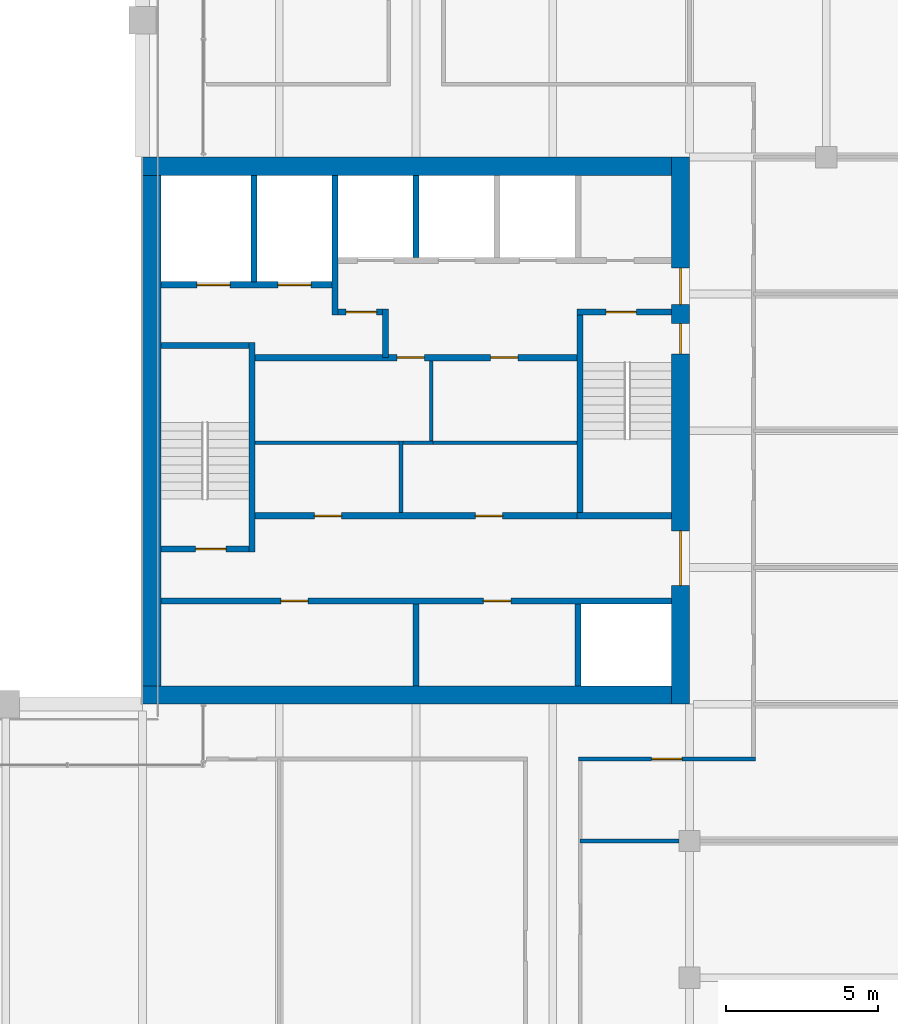
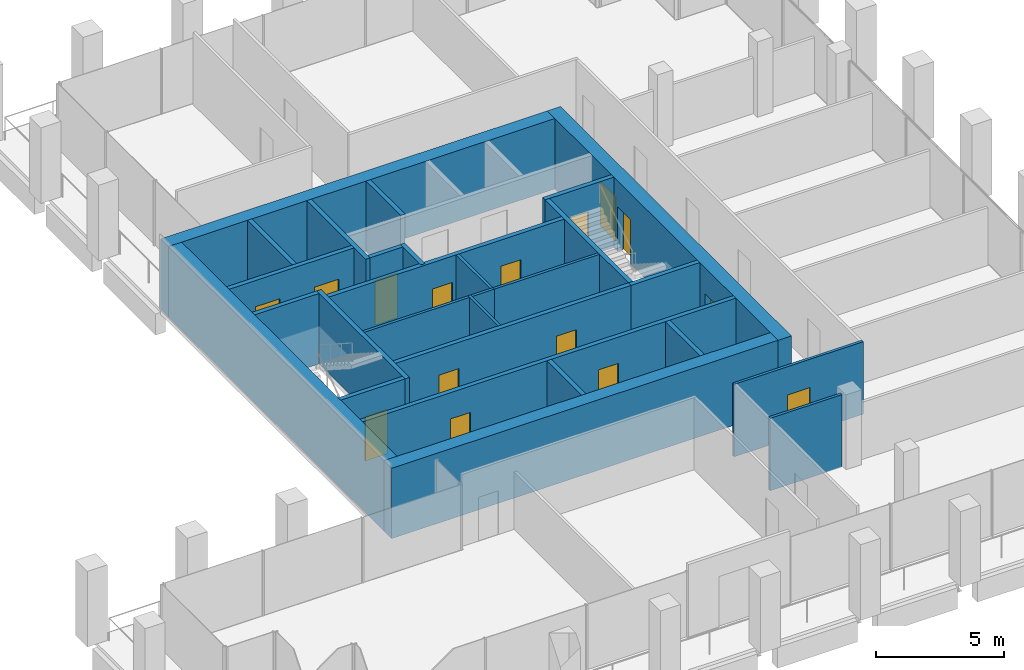
# One storey, part 36 of 40: 28 walls, 15 doors, 15 openings.
"""IFC4 building model written with IfcOpenShell, lengths in metres."""

from ifc_helpers import new_model, si_unit, direction, frame, frame_2d, origin, place, context, subcontext, project, spatial, rectangle, extrude, material, layer, layer_set, type_object, element, fill, save


model = new_model("IFC4")

# Units and contexts
model_context = context("Model", 3, precision=1e-05, world=origin(), true_north=direction((0.0, 1.0)))
body_context = subcontext(model_context, "Body", "Model", "MODEL_VIEW")
ifc_project = project(units=[si_unit("LENGTHUNIT", "METRE"), si_unit("AREAUNIT", "SQUARE_METRE"), si_unit("VOLUMEUNIT", "CUBIC_METRE"), si_unit("PLANEANGLEUNIT", "RADIAN"), si_unit("MASSUNIT", "GRAM", prefix="KILO")], contexts=[model_context])

# Site, building, storey
site_placement = place(None, origin())
site = spatial("IfcSite", under=ifc_project, at=site_placement, CompositionType="ELEMENT")
building_placement = place(site_placement, origin())
building = spatial("IfcBuilding", under=site, at=building_placement, Name="Altepetl Exchange Towers", CompositionType="ELEMENT")
storey_placement = place(building_placement, frame((0.0, 0.0, 151.0)))
storey = spatial("IfcBuildingStorey", under=building, at=storey_placement, Name="L37", CompositionType="ELEMENT", Elevation=151.0)

# Wall, openings, doors
ifc_material_1 = material(Name="Concrete C70/85", Category="concrete")
ifc_layer_1 = layer(ifc_material_1, 0.60009765625)
ifc_layer_set_1 = layer_set([ifc_layer_1], Name="Concrete C70/85")
wall_type_1 = type_object("IfcWallType", Name="Core wall 600 reinforced concrete", PredefinedType="SHEAR", material=ifc_layer_set_1)
wall_1_placement = place(storey_placement, frame((58.199951171875, 40.5, 0.0), z_axis=(0.0, 0.0, 1.0), x_axis=(0.0, 1.0, 0.0)))
wall_1 = element("IfcWall", 1, at=wall_1_placement, inside=storey, type_object=wall_type_1, Name="wall:A:L37:K-coreE", PredefinedType="SHEAR", context=body_context, shape_type="SweptSolid", body=[
    extrude(rectangle(XDim=18.0, YDim=0.60009765625, at=frame_2d((9.0, 0.0))), origin(), (0.0, 0.0, 1.0), 3.35009765625),
])
opening_1_placement = place(wall_1_placement, frame((13.14990234375, 0.0, 0.0)))
opening_1 = element("IfcOpeningElement", 2, at=opening_1_placement, cuts=wall_1, Name="Opening L37.A60", PredefinedType="OPENING", context=body_context, shape_type="SweptSolid", body=[
    extrude(rectangle(XDim=1.199951171875, YDim=2.10009765625, at=frame_2d((0.60009765625, 1.050048828125))), frame((0.0, 0.31005859375, 0.0), z_axis=(0.0, -1.0, 0.0), x_axis=(1.0, 0.0, 0.0)), (0.0, 0.0, 1.0), 0.6201171875),
])
opening_2_placement = place(wall_1_placement, frame((3.89990234375, 0.0, 0.0)))
opening_2 = element("IfcOpeningElement", 3, at=opening_2_placement, cuts=wall_1, Name="Opening L37.A61", PredefinedType="OPENING", context=body_context, shape_type="SweptSolid", body=[
    extrude(rectangle(XDim=1.800048828125, YDim=2.10009765625, at=frame_2d((0.89990234375, 1.050048828125))), frame((0.0, 0.31005859375, 0.0), z_axis=(0.0, -1.0, 0.0), x_axis=(1.0, 0.0, 0.0)), (0.0, 0.0, 1.0), 0.6201171875),
])
opening_3_placement = place(wall_1_placement, frame((11.52490234375, 0.0, 0.0)))
opening_3 = element("IfcOpeningElement", 4, at=opening_3_placement, cuts=wall_1, Name="Opening L37.A64", PredefinedType="OPENING", context=body_context, shape_type="SweptSolid", body=[
    extrude(rectangle(XDim=1.0, YDim=2.10009765625, at=frame_2d((0.5, 1.050048828125))), frame((0.0, 0.31005859375, 0.0), z_axis=(0.0, -1.0, 0.0), x_axis=(1.0, 0.0, 0.0)), (0.0, 0.0, 1.0), 0.6201171875),
])
ifc_material_2 = material(Name="Steel and timber fire door", Category="steel")
door_type_1 = type_object("IfcDoorType", Name="Fire door 1000 x 2100 stair and lobby", OperationType="SINGLE_SWING_LEFT", PredefinedType="DOOR", material=ifc_material_2)
door_1_placement = place(opening_3_placement, origin())
door_1 = element("IfcDoor", 5, at=door_1_placement, inside=storey, type_object=door_type_1, Name="door:A:L37:K-dS2x", OperationType="SINGLE_SWING_RIGHT", OverallHeight=2.10009765625, OverallWidth=1.0, PredefinedType="DOOR", context=body_context, shape_type="SweptSolid", body=[
    extrude(rectangle(XDim=1.0, YDim=2.10009765625, at=frame_2d((0.5, 1.050048828125))), frame((0.0, 0.02490234375, 0.0), z_axis=(0.0, -1.0, 0.0), x_axis=(1.0, 0.0, 0.0)), (0.0, 0.0, 1.0), 0.050048828125),
])
fill(opening_3, door_1)
door_type_2 = type_object("IfcDoorType", Name="Fire door 1200 x 2100 lobby entry", OperationType="SINGLE_SWING_LEFT", PredefinedType="DOOR", material=ifc_material_2)
door_2_placement = place(opening_1_placement, origin())
door_2 = element("IfcDoor", 6, at=door_2_placement, inside=storey, type_object=door_type_2, Name="door:A:L37:K-dLNE", OperationType="SINGLE_SWING_RIGHT", OverallHeight=2.10009765625, OverallWidth=1.199951171875, PredefinedType="DOOR", context=body_context, shape_type="SweptSolid", body=[
    extrude(rectangle(XDim=1.199951171875, YDim=2.10009765625, at=frame_2d((0.60009765625, 1.050048828125))), frame((0.0, 0.02490234375, 0.0), z_axis=(0.0, -1.0, 0.0), x_axis=(1.0, 0.0, 0.0)), (0.0, 0.0, 1.0), 0.050048828125),
])
fill(opening_1, door_2)
door_type_3 = type_object("IfcDoorType", Name="Fire door 1800 x 2100 lobby entry", OperationType="DOUBLE_DOOR_SINGLE_SWING", PredefinedType="DOOR", material=ifc_material_2)
door_3_placement = place(opening_2_placement, origin())
door_3 = element("IfcDoor", 7, at=door_3_placement, inside=storey, type_object=door_type_3, Name="door:A:L37:K-dLSE", OperationType="DOUBLE_DOOR_SINGLE_SWING", OverallHeight=2.10009765625, OverallWidth=1.800048828125, PredefinedType="DOOR", context=body_context, shape_type="SweptSolid", body=[
    extrude(rectangle(XDim=1.800048828125, YDim=2.10009765625, at=frame_2d((0.89990234375, 1.050048828125))), frame((0.0, 0.02490234375, 0.0), z_axis=(0.0, -1.0, 0.0), x_axis=(1.0, 0.0, 0.0)), (0.0, 0.0, 1.0), 0.050048828125),
])
fill(opening_2, door_3)

# Walls
for number, where, name in (
    (8, (40.5, 58.199951171875, 0.0), "wall:A:L37:K-coreN"),
    (9, (40.5, 40.800048828125, 0.0), "wall:A:L37:K-coreS"),
):
    element("IfcWall", number, at=place(storey_placement, frame(where)), inside=storey, type_object=wall_type_1, Name=name, PredefinedType="SHEAR", context=body_context, shape_type="SweptSolid", body=[
        extrude(rectangle(XDim=17.39990234375, YDim=0.60009765625, at=frame_2d((8.699951171875, 0.0))), origin(), (0.0, 0.0, 1.0), 3.35009765625),
    ])
ifc_layer_2 = layer(ifc_material_1, 0.60009765625)
ifc_layer_set_2 = layer_set([ifc_layer_2], Name="Concrete C70/85")
wall_type_2 = type_object("IfcWallType", Name="Core wall 600 reinforced concrete external", PredefinedType="SHEAR", material=ifc_layer_set_2)
wall_2_placement = place(storey_placement, frame((40.800048828125, 41.10009765625, 0.0), z_axis=(0.0, 0.0, 1.0), x_axis=(0.0, 1.0, 0.0)))
element("IfcWall", 10, at=wall_2_placement, inside=storey, type_object=wall_type_2, Name="wall:A:L37:K-coreW", PredefinedType="SHEAR", context=body_context, shape_type="SweptSolid", body=[
    extrude(rectangle(XDim=16.7998046875, YDim=0.60009765625, at=frame_2d((8.39990234375, 0.0))), origin(), (0.0, 0.0, 1.0), 3.35009765625),
])
ifc_material_3 = material(Name="Concrete blockwork", Category="masonry")
ifc_layer_3 = layer(ifc_material_3, 0.199951171875)
ifc_layer_set_3 = layer_set([ifc_layer_3], Name="Concrete blockwork")
wall_type_3 = type_object("IfcWallType", Name="Lobby wall 200 blockwork", PredefinedType="PARTITIONING", material=ifc_layer_set_3)
wall_3_placement = place(storey_placement, frame((48.5, 51.89990234375, 0.0), z_axis=(0.0, 0.0, 1.0), x_axis=(0.0, 1.0, 0.0)))
element("IfcWall", 11, at=wall_3_placement, inside=storey, type_object=wall_type_3, Name="wall:A:L37:K-ffE", PredefinedType="PARTITIONING", context=body_context, shape_type="SweptSolid", body=[
    extrude(rectangle(XDim=1.60009765625, YDim=0.199951171875, at=frame_2d((0.800048828125, 0.0))), origin(), (0.0, 0.0, 1.0), 3.35009765625),
])

# Wall, opening, door
wall_4_placement = place(storey_placement, frame((46.933349609375, 53.39990234375, 0.0)))
wall_4 = element("IfcWall", 12, at=wall_4_placement, inside=storey, type_object=wall_type_3, Name="wall:A:L37:K-ffN", PredefinedType="PARTITIONING", context=body_context, shape_type="SweptSolid", body=[
    extrude(rectangle(XDim=1.466552734375, YDim=0.199951171875, at=frame_2d((0.7333984375, 0.0))), origin(), (0.0, 0.0, 1.0), 3.35009765625),
])
opening_4_placement = place(wall_4_placement, frame((0.2666015625, 0.0, 0.0)))
opening_4 = element("IfcOpeningElement", 13, at=opening_4_placement, cuts=wall_4, Name="Opening L37.A65", PredefinedType="OPENING", context=body_context, shape_type="SweptSolid", body=[
    extrude(rectangle(XDim=1.0, YDim=2.10009765625, at=frame_2d((0.5, 1.050048828125))), frame((0.0, 0.10986328125, 0.0), z_axis=(0.0, -1.0, 0.0), x_axis=(1.0, 0.0, 0.0)), (0.0, 0.0, 1.0), 0.219970703125),
])
door_4_placement = place(opening_4_placement, frame((1.0, 0.0, 0.0), x_axis=(-1.0, 0.0, 0.0)))
door_4 = element("IfcDoor", 14, at=door_4_placement, inside=storey, type_object=door_type_1, Name="door:A:L37:K-dffN", OperationType="SINGLE_SWING_RIGHT", OverallHeight=2.10009765625, OverallWidth=1.0, PredefinedType="DOOR", context=body_context, shape_type="SweptSolid", body=[
    extrude(rectangle(XDim=1.0, YDim=2.10009765625, at=frame_2d((0.5, 1.050048828125))), frame((0.0, 0.02490234375, 0.0), z_axis=(0.0, -1.0, 0.0), x_axis=(1.0, 0.0, 0.0)), (0.0, 0.0, 1.0), 0.050048828125),
])
fill(opening_4, door_4)

# Wall, openings, doors
wall_5_placement = place(storey_placement, frame((44.199951171875, 51.89990234375, 0.0)))
wall_5 = element("IfcWall", 15, at=wall_5_placement, inside=storey, type_object=wall_type_3, Name="wall:A:L37:K-zoneN", PredefinedType="PARTITIONING", context=body_context, shape_type="SweptSolid", body=[
    extrude(rectangle(XDim=10.60009765625, YDim=0.199951171875, at=frame_2d((5.300048828125, 0.0))), origin(), (0.0, 0.0, 1.0), 3.35009765625),
])
opening_5_placement = place(wall_5_placement, frame((4.675048828125, 0.0, 0.0)))
opening_5 = element("IfcOpeningElement", 16, at=opening_5_placement, cuts=wall_5, Name="Opening L37.A71", PredefinedType="OPENING", context=body_context, shape_type="SweptSolid", body=[
    extrude(rectangle(XDim=0.89990234375, YDim=2.10009765625, at=frame_2d((0.449951171875, 1.050048828125))), frame((0.0, 0.10986328125, 0.0), z_axis=(0.0, -1.0, 0.0), x_axis=(1.0, 0.0, 0.0)), (0.0, 0.0, 1.0), 0.219970703125),
])
opening_6_placement = place(wall_5_placement, frame((7.75, 0.0, 0.0)))
opening_6 = element("IfcOpeningElement", 17, at=opening_6_placement, cuts=wall_5, Name="Opening L37.A72", PredefinedType="OPENING", context=body_context, shape_type="SweptSolid", body=[
    extrude(rectangle(XDim=0.89990234375, YDim=2.10009765625, at=frame_2d((0.449951171875, 1.050048828125))), frame((0.0, 0.10986328125, 0.0), z_axis=(0.0, -1.0, 0.0), x_axis=(1.0, 0.0, 0.0)), (0.0, 0.0, 1.0), 0.219970703125),
])
door_type_4 = type_object("IfcDoorType", Name="Fire door 900 x 2100 service room", OperationType="SINGLE_SWING_LEFT", PredefinedType="DOOR", material=ifc_material_2)
door_5_placement = place(opening_5_placement, frame((0.89990234375, 0.0, 0.0), x_axis=(-1.0, 0.0, 0.0)))
door_5 = element("IfcDoor", 18, at=door_5_placement, inside=storey, type_object=door_type_4, Name="door:A:L37:K-dz3", OperationType="SINGLE_SWING_LEFT", OverallHeight=2.10009765625, OverallWidth=0.89990234375, PredefinedType="DOOR", context=body_context, shape_type="SweptSolid", body=[
    extrude(rectangle(XDim=0.89990234375, YDim=2.10009765625, at=frame_2d((0.449951171875, 1.050048828125))), frame((0.0, 0.02490234375, 0.0), z_axis=(0.0, -1.0, 0.0), x_axis=(1.0, 0.0, 0.0)), (0.0, 0.0, 1.0), 0.050048828125),
])
fill(opening_5, door_5)
door_6_placement = place(opening_6_placement, frame((0.89990234375, 0.0, 0.0), x_axis=(-1.0, 0.0, 0.0)))
door_6 = element("IfcDoor", 19, at=door_6_placement, inside=storey, type_object=door_type_4, Name="door:A:L37:K-dz4", OperationType="SINGLE_SWING_LEFT", OverallHeight=2.10009765625, OverallWidth=0.89990234375, PredefinedType="DOOR", context=body_context, shape_type="SweptSolid", body=[
    extrude(rectangle(XDim=0.89990234375, YDim=2.10009765625, at=frame_2d((0.449951171875, 1.050048828125))), frame((0.0, 0.02490234375, 0.0), z_axis=(0.0, -1.0, 0.0), x_axis=(1.0, 0.0, 0.0)), (0.0, 0.0, 1.0), 0.050048828125),
])
fill(opening_6, door_6)

wall_6_placement = place(storey_placement, frame((44.199951171875, 46.699951171875, 0.0)))
wall_6 = element("IfcWall", 20, at=wall_6_placement, inside=storey, type_object=wall_type_3, Name="wall:A:L37:K-zoneS", PredefinedType="PARTITIONING", context=body_context, shape_type="SweptSolid", body=[
    extrude(rectangle(XDim=10.60009765625, YDim=0.199951171875, at=frame_2d((5.300048828125, 0.0))), origin(), (0.0, 0.0, 1.0), 3.35009765625),
])
opening_7_placement = place(wall_6_placement, frame((1.949951171875, 0.0, 0.0)))
opening_7 = element("IfcOpeningElement", 21, at=opening_7_placement, cuts=wall_6, Name="Opening L37.A69", PredefinedType="OPENING", context=body_context, shape_type="SweptSolid", body=[
    extrude(rectangle(XDim=0.89990234375, YDim=2.10009765625, at=frame_2d((0.449951171875, 1.050048828125))), frame((0.0, 0.10986328125, 0.0), z_axis=(0.0, -1.0, 0.0), x_axis=(1.0, 0.0, 0.0)), (0.0, 0.0, 1.0), 0.219970703125),
])
opening_8_placement = place(wall_6_placement, frame((7.25, 0.0, 0.0)))
opening_8 = element("IfcOpeningElement", 22, at=opening_8_placement, cuts=wall_6, Name="Opening L37.A70", PredefinedType="OPENING", context=body_context, shape_type="SweptSolid", body=[
    extrude(rectangle(XDim=0.89990234375, YDim=2.10009765625, at=frame_2d((0.449951171875, 1.050048828125))), frame((0.0, 0.10986328125, 0.0), z_axis=(0.0, -1.0, 0.0), x_axis=(1.0, 0.0, 0.0)), (0.0, 0.0, 1.0), 0.219970703125),
])
door_7_placement = place(opening_7_placement, origin())
door_7 = element("IfcDoor", 23, at=door_7_placement, inside=storey, type_object=door_type_4, Name="door:A:L37:K-dz1", OperationType="SINGLE_SWING_LEFT", OverallHeight=2.10009765625, OverallWidth=0.89990234375, PredefinedType="DOOR", context=body_context, shape_type="SweptSolid", body=[
    extrude(rectangle(XDim=0.89990234375, YDim=2.10009765625, at=frame_2d((0.449951171875, 1.050048828125))), frame((0.0, 0.02490234375, 0.0), z_axis=(0.0, -1.0, 0.0), x_axis=(1.0, 0.0, 0.0)), (0.0, 0.0, 1.0), 0.050048828125),
])
fill(opening_7, door_7)
door_8_placement = place(opening_8_placement, origin())
door_8 = element("IfcDoor", 24, at=door_8_placement, inside=storey, type_object=door_type_4, Name="door:A:L37:K-dz2", OperationType="SINGLE_SWING_LEFT", OverallHeight=2.10009765625, OverallWidth=0.89990234375, PredefinedType="DOOR", context=body_context, shape_type="SweptSolid", body=[
    extrude(rectangle(XDim=0.89990234375, YDim=2.10009765625, at=frame_2d((0.449951171875, 1.050048828125))), frame((0.0, 0.02490234375, 0.0), z_axis=(0.0, -1.0, 0.0), x_axis=(1.0, 0.0, 0.0)), (0.0, 0.0, 1.0), 0.050048828125),
])
fill(opening_8, door_8)

# Walls
ifc_material_4 = material(Name="Gypsum board on steel studs", Category="steel")
ifc_layer_4 = layer(ifc_material_4, 0.125)
ifc_layer_set_4 = layer_set([ifc_layer_4], Name="Gypsum board on steel studs")
wall_type_4 = type_object("IfcWallType", Name="Partition 125 gypsum board on steel studs", PredefinedType="PARTITIONING", material=ifc_layer_set_4)
wall_7_placement = place(storey_placement, frame((49.0, 46.800048828125, 0.0), z_axis=(0.0, 0.0, 1.0), x_axis=(0.0, 1.0, 0.0)))
element("IfcWall", 25, at=wall_7_placement, inside=storey, type_object=wall_type_4, Name="wall:A:L37:K-zp1", PredefinedType="PARTITIONING", context=body_context, shape_type="SweptSolid", body=[
    extrude(rectangle(XDim=2.362548828125, YDim=0.125, at=frame_2d((1.18115234375, 0.0))), origin(), (0.0, 0.0, 1.0), 3.35009765625),
])
wall_8_placement = place(storey_placement, frame((49.0, 49.10009765625, 0.0), z_axis=(0.0, 0.0, 1.0), x_axis=(-1.0, 0.0, 0.0)))
element("IfcWall", 26, at=wall_8_placement, inside=storey, type_object=wall_type_4, Name="wall:A:L37:K-zp2", PredefinedType="PARTITIONING", context=body_context, shape_type="SweptSolid", body=[
    extrude(rectangle(XDim=4.800048828125, YDim=0.125, at=frame_2d((2.39990234375, 0.0))), origin(), (0.0, 0.0, 1.0), 3.35009765625),
])
wall_9_placement = place(storey_placement, frame((50.0625, 49.10009765625, 0.0), z_axis=(0.0, 0.0, 1.0), x_axis=(-1.0, 0.0, 0.0)))
element("IfcWall", 27, at=wall_9_placement, inside=storey, type_object=wall_type_4, Name="wall:A:L37:K-zp3", PredefinedType="PARTITIONING", context=body_context, shape_type="SweptSolid", body=[
    extrude(rectangle(XDim=1.0, YDim=0.125, at=frame_2d((0.5, 0.0))), origin(), (0.0, 0.0, 1.0), 3.35009765625),
])
wall_10_placement = place(storey_placement, frame((54.800048828125, 49.10009765625, 0.0), z_axis=(0.0, 0.0, 1.0), x_axis=(-1.0, 0.0, 0.0)))
element("IfcWall", 28, at=wall_10_placement, inside=storey, type_object=wall_type_4, Name="wall:A:L37:K-zp4", PredefinedType="PARTITIONING", context=body_context, shape_type="SweptSolid", body=[
    extrude(rectangle(XDim=4.800048828125, YDim=0.125, at=frame_2d((2.39990234375, 0.0))), origin(), (0.0, 0.0, 1.0), 3.35009765625),
])
wall_11_placement = place(storey_placement, frame((50.0, 49.16259765625, 0.0), z_axis=(0.0, 0.0, 1.0), x_axis=(0.0, 1.0, 0.0)))
element("IfcWall", 29, at=wall_11_placement, inside=storey, type_object=wall_type_4, Name="wall:A:L37:K-zp5", PredefinedType="PARTITIONING", context=body_context, shape_type="SweptSolid", body=[
    extrude(rectangle(XDim=2.637451171875, YDim=0.125, at=frame_2d((1.31884765625, 0.0))), origin(), (0.0, 0.0, 1.0), 3.35009765625),
])
wall_12_placement = place(storey_placement, frame((54.89990234375, 36.0, 0.0)))
element("IfcWall", 30, at=wall_12_placement, inside=storey, type_object=wall_type_4, Name="wall:A:L37:P01", PredefinedType="PARTITIONING", context=body_context, shape_type="SweptSolid", body=[
    extrude(rectangle(XDim=3.25, YDim=0.125, at=frame_2d((1.625, 0.0))), origin(), (0.0, 0.0, 1.0), 3.449951171875),
])

# Wall, opening, door
wall_13_placement = place(storey_placement, frame((54.83740234375, 38.699951171875, 0.0)))
wall_13 = element("IfcWall", 31, at=wall_13_placement, inside=storey, type_object=wall_type_4, Name="wall:A:L37:P04", PredefinedType="PARTITIONING", context=body_context, shape_type="SweptSolid", body=[
    extrude(rectangle(XDim=5.8251953125, YDim=0.125, at=frame_2d((2.91259765625, 0.0))), origin(), (0.0, 0.0, 1.0), 3.449951171875),
])
opening_9_placement = place(wall_13_placement, frame((2.41259765625, 0.0, 0.0)))
opening_9 = element("IfcOpeningElement", 32, at=opening_9_placement, cuts=wall_13, Name="Opening L37.A04", PredefinedType="OPENING", context=body_context, shape_type="SweptSolid", body=[
    extrude(rectangle(XDim=1.0, YDim=2.10009765625, at=frame_2d((0.5, 1.050048828125))), frame((0.0, 0.072509765625, 0.0), z_axis=(0.0, -1.0, 0.0), x_axis=(1.0, 0.0, 0.0)), (0.0, 0.0, 1.0), 0.14501953125),
])
door_type_5 = type_object("IfcDoorType", Name="Fire door 1000 x 2100 single leaf", OperationType="SINGLE_SWING_LEFT", PredefinedType="DOOR", material=ifc_material_2)
door_9_placement = place(opening_9_placement, frame((1.0, 0.0, 0.0), x_axis=(-1.0, 0.0, 0.0)))
door_9 = element("IfcDoor", 33, at=door_9_placement, inside=storey, type_object=door_type_5, Name="door:A:L37:04", OperationType="SINGLE_SWING_RIGHT", OverallHeight=2.10009765625, OverallWidth=1.0, PredefinedType="DOOR", context=body_context, shape_type="SweptSolid", body=[
    extrude(rectangle(XDim=1.0, YDim=2.10009765625, at=frame_2d((0.5, 1.050048828125))), frame((0.0, 0.02490234375, 0.0), z_axis=(0.0, -1.0, 0.0), x_axis=(1.0, 0.0, 0.0)), (0.0, 0.0, 1.0), 0.050048828125),
])
fill(opening_9, door_9)

# Walls
ifc_material_5 = material(Name="Concrete C40/50", Category="concrete")
ifc_layer_5 = layer(ifc_material_5, 0.199951171875)
ifc_layer_set_5 = layer_set([ifc_layer_5], Name="Concrete C40/50")
wall_type_5 = type_object("IfcWallType", Name="Shaft wall 200 reinforced concrete", PredefinedType="SHEAR", material=ifc_layer_set_5)
wall_14_placement = place(storey_placement, frame((44.166748046875, 57.89990234375, 0.0), z_axis=(0.0, 0.0, 1.0), x_axis=(0.0, -1.0, 0.0)))
element("IfcWall", 34, at=wall_14_placement, inside=storey, type_object=wall_type_5, Name="wall:A:L37:K-divN1", PredefinedType="SHEAR", context=body_context, shape_type="SweptSolid", body=[
    extrude(rectangle(XDim=3.5, YDim=0.199951171875, at=frame_2d((1.75, 0.0))), origin(), (0.0, 0.0, 1.0), 3.35009765625),
])
wall_15_placement = place(storey_placement, frame((46.833251953125, 57.89990234375, 0.0), z_axis=(0.0, 0.0, 1.0), x_axis=(0.0, -1.0, 0.0)))
element("IfcWall", 35, at=wall_15_placement, inside=storey, type_object=wall_type_5, Name="wall:A:L37:K-divN2", PredefinedType="SHEAR", context=body_context, shape_type="SweptSolid", body=[
    extrude(rectangle(XDim=4.599853515625, YDim=0.199951171875, at=frame_2d((2.2998046875, 0.0))), origin(), (0.0, 0.0, 1.0), 3.35009765625),
])
for number, where, z_axis, x_axis, name in (
    (36, (49.5, 57.89990234375, 0.0), (0.0, 0.0, 1.0), (0.0, -1.0, 0.0), "wall:A:L37:K-divN3"),
    (37, (54.833251953125, 41.10009765625, 0.0), (0.0, 0.0, 1.0), (0.0, 1.0, 0.0), "wall:A:L37:K-divS5"),
):
    element("IfcWall", number, at=place(storey_placement, frame(where, z_axis=z_axis, x_axis=x_axis)), inside=storey, type_object=wall_type_5, Name=name, PredefinedType="SHEAR", context=body_context, shape_type="SweptSolid", body=[
        extrude(rectangle(XDim=2.699951171875, YDim=0.199951171875, at=frame_2d((1.35009765625, 0.0))), origin(), (0.0, 0.0, 1.0), 3.35009765625),
    ])

# Wall, openings, doors
wall_16_placement = place(storey_placement, frame((41.10009765625, 54.300048828125, 0.0)))
wall_16 = element("IfcWall", 38, at=wall_16_placement, inside=storey, type_object=wall_type_5, Name="wall:A:L37:K-frontNd", PredefinedType="SHEAR", context=body_context, shape_type="SweptSolid", body=[
    extrude(rectangle(XDim=5.63330078125, YDim=0.199951171875, at=frame_2d((2.816650390625, 0.0))), origin(), (0.0, 0.0, 1.0), 3.35009765625),
])
opening_10_placement = place(wall_16_placement, frame((1.183349609375, 0.0, 0.0)))
opening_10 = element("IfcOpeningElement", 39, at=opening_10_placement, cuts=wall_16, Name="Opening L37.A73", PredefinedType="OPENING", context=body_context, shape_type="SweptSolid", body=[
    extrude(rectangle(XDim=1.10009765625, YDim=2.10009765625, at=frame_2d((0.550048828125, 1.050048828125))), frame((0.0, 0.10986328125, 0.0), z_axis=(0.0, -1.0, 0.0), x_axis=(1.0, 0.0, 0.0)), (0.0, 0.0, 1.0), 0.219970703125),
])
opening_11_placement = place(wall_16_placement, frame((3.85009765625, 0.0, 0.0)))
opening_11 = element("IfcOpeningElement", 40, at=opening_11_placement, cuts=wall_16, Name="Opening L37.A74", PredefinedType="OPENING", context=body_context, shape_type="SweptSolid", body=[
    extrude(rectangle(XDim=1.10009765625, YDim=2.10009765625, at=frame_2d((0.550048828125, 1.050048828125))), frame((0.0, 0.10986328125, 0.0), z_axis=(0.0, -1.0, 0.0), x_axis=(1.0, 0.0, 0.0)), (0.0, 0.0, 1.0), 0.219970703125),
])
ifc_material_6 = material(Name="Stainless steel", Category="steel")
door_type_6 = type_object("IfcDoorType", Name="Lift landing door 1100 x 2100", OperationType="SLIDING_TO_LEFT", PredefinedType="DOOR", material=ifc_material_6)
door_10_placement = place(opening_10_placement, origin())
door_10 = element("IfcDoor", 41, at=door_10_placement, inside=storey, type_object=door_type_6, Name="Landing door FFL1", OperationType="SLIDING_TO_LEFT", OverallHeight=2.10009765625, OverallWidth=1.10009765625, PredefinedType="DOOR", context=body_context, shape_type="SweptSolid", body=[
    extrude(rectangle(XDim=1.10009765625, YDim=2.10009765625, at=frame_2d((0.550048828125, 1.050048828125))), frame((0.0, 0.02490234375, 0.0), z_axis=(0.0, -1.0, 0.0), x_axis=(1.0, 0.0, 0.0)), (0.0, 0.0, 1.0), 0.050048828125),
])
fill(opening_10, door_10)
door_11_placement = place(opening_11_placement, origin())
door_11 = element("IfcDoor", 42, at=door_11_placement, inside=storey, type_object=door_type_6, Name="Landing door FFL2", OperationType="SLIDING_TO_LEFT", OverallHeight=2.10009765625, OverallWidth=1.10009765625, PredefinedType="DOOR", context=body_context, shape_type="SweptSolid", body=[
    extrude(rectangle(XDim=1.10009765625, YDim=2.10009765625, at=frame_2d((0.550048828125, 1.050048828125))), frame((0.0, 0.02490234375, 0.0), z_axis=(0.0, -1.0, 0.0), x_axis=(1.0, 0.0, 0.0)), (0.0, 0.0, 1.0), 0.050048828125),
])
fill(opening_11, door_11)

wall_17_placement = place(storey_placement, frame((41.10009765625, 43.89990234375, 0.0)))
wall_17 = element("IfcWall", 43, at=wall_17_placement, inside=storey, type_object=wall_type_5, Name="wall:A:L37:K-frontS", PredefinedType="SHEAR", context=body_context, shape_type="SweptSolid", body=[
    extrude(rectangle(XDim=16.7998046875, YDim=0.199951171875, at=frame_2d((8.39990234375, 0.0))), origin(), (0.0, 0.0, 1.0), 3.35009765625),
])
opening_12_placement = place(wall_17_placement, frame((3.949951171875, 0.0, 0.0)))
opening_12 = element("IfcOpeningElement", 44, at=opening_12_placement, cuts=wall_17, Name="Opening L37.A67", PredefinedType="OPENING", context=body_context, shape_type="SweptSolid", body=[
    extrude(rectangle(XDim=0.89990234375, YDim=2.10009765625, at=frame_2d((0.449951171875, 1.050048828125))), frame((0.0, 0.10986328125, 0.0), z_axis=(0.0, -1.0, 0.0), x_axis=(1.0, 0.0, 0.0)), (0.0, 0.0, 1.0), 0.219970703125),
])
opening_13_placement = place(wall_17_placement, frame((10.61669921875, 0.0, 0.0)))
opening_13 = element("IfcOpeningElement", 45, at=opening_13_placement, cuts=wall_17, Name="Opening L37.A68", PredefinedType="OPENING", context=body_context, shape_type="SweptSolid", body=[
    extrude(rectangle(XDim=0.89990234375, YDim=2.10009765625, at=frame_2d((0.449951171875, 1.050048828125))), frame((0.0, 0.10986328125, 0.0), z_axis=(0.0, -1.0, 0.0), x_axis=(1.0, 0.0, 0.0)), (0.0, 0.0, 1.0), 0.219970703125),
])
door_12_placement = place(opening_12_placement, frame((0.89990234375, 0.0, 0.0), x_axis=(-1.0, 0.0, 0.0)))
door_12 = element("IfcDoor", 46, at=door_12_placement, inside=storey, type_object=door_type_4, Name="door:A:L37:K-dslotS0", OperationType="SINGLE_SWING_LEFT", OverallHeight=2.10009765625, OverallWidth=0.89990234375, PredefinedType="DOOR", context=body_context, shape_type="SweptSolid", body=[
    extrude(rectangle(XDim=0.89990234375, YDim=2.10009765625, at=frame_2d((0.449951171875, 1.050048828125))), frame((0.0, 0.02490234375, 0.0), z_axis=(0.0, -1.0, 0.0), x_axis=(1.0, 0.0, 0.0)), (0.0, 0.0, 1.0), 0.050048828125),
])
fill(opening_12, door_12)
door_13_placement = place(opening_13_placement, frame((0.89990234375, 0.0, 0.0), x_axis=(-1.0, 0.0, 0.0)))
door_13 = element("IfcDoor", 47, at=door_13_placement, inside=storey, type_object=door_type_4, Name="door:A:L37:K-dslotS3", OperationType="SINGLE_SWING_LEFT", OverallHeight=2.10009765625, OverallWidth=0.89990234375, PredefinedType="DOOR", context=body_context, shape_type="SweptSolid", body=[
    extrude(rectangle(XDim=0.89990234375, YDim=2.10009765625, at=frame_2d((0.449951171875, 1.050048828125))), frame((0.0, 0.02490234375, 0.0), z_axis=(0.0, -1.0, 0.0), x_axis=(1.0, 0.0, 0.0)), (0.0, 0.0, 1.0), 0.050048828125),
])
fill(opening_13, door_13)

# Walls
ifc_layer_6 = layer(ifc_material_1, 0.199951171875)
ifc_layer_set_6 = layer_set([ifc_layer_6], Name="Concrete C70/85")
wall_type_6 = type_object("IfcWallType", Name="Shear wall 200 reinforced concrete", PredefinedType="SHEAR", material=ifc_layer_set_6)
wall_18_placement = place(storey_placement, frame((49.5, 41.10009765625, 0.0), z_axis=(0.0, 0.0, 1.0), x_axis=(0.0, 1.0, 0.0)))
element("IfcWall", 48, at=wall_18_placement, inside=storey, type_object=wall_type_6, Name="wall:A:L37:K-divS3", PredefinedType="SHEAR", context=body_context, shape_type="SweptSolid", body=[
    extrude(rectangle(XDim=2.699951171875, YDim=0.199951171875, at=frame_2d((1.35009765625, 0.0))), origin(), (0.0, 0.0, 1.0), 3.35009765625),
])
ifc_layer_7 = layer(ifc_material_5, 0.199951171875)
ifc_layer_set_7 = layer_set([ifc_layer_7], Name="Concrete C40/50")
wall_type_7 = type_object("IfcWallType", Name="Stair wall 200 reinforced concrete", PredefinedType="SHEAR", material=ifc_layer_set_7)
wall_19_placement = place(storey_placement, frame((44.10009765625, 45.5, 0.0), z_axis=(0.0, 0.0, 1.0), x_axis=(0.0, 1.0, 0.0)))
element("IfcWall", 49, at=wall_19_placement, inside=storey, type_object=wall_type_7, Name="wall:A:L37:K-stS1E", PredefinedType="SHEAR", context=body_context, shape_type="SweptSolid", body=[
    extrude(rectangle(XDim=6.89990234375, YDim=0.199951171875, at=frame_2d((3.449951171875, 0.0))), origin(), (0.0, 0.0, 1.0), 3.35009765625),
])
wall_20_placement = place(storey_placement, frame((41.10009765625, 52.300048828125, 0.0)))
element("IfcWall", 50, at=wall_20_placement, inside=storey, type_object=wall_type_7, Name="wall:A:L37:K-stS1N", PredefinedType="SHEAR", context=body_context, shape_type="SweptSolid", body=[
    extrude(rectangle(XDim=2.89990234375, YDim=0.199951171875, at=frame_2d((1.449951171875, 0.0))), origin(), (0.0, 0.0, 1.0), 3.35009765625),
])

# Wall, opening, door
wall_21_placement = place(storey_placement, frame((41.10009765625, 45.60009765625, 0.0)))
wall_21 = element("IfcWall", 51, at=wall_21_placement, inside=storey, type_object=wall_type_7, Name="wall:A:L37:K-stS1S", PredefinedType="SHEAR", context=body_context, shape_type="SweptSolid", body=[
    extrude(rectangle(XDim=2.89990234375, YDim=0.199951171875, at=frame_2d((1.449951171875, 0.0))), origin(), (0.0, 0.0, 1.0), 3.35009765625),
])
opening_14_placement = place(wall_21_placement, frame((1.14990234375, 0.0, 0.0)))
opening_14 = element("IfcOpeningElement", 52, at=opening_14_placement, cuts=wall_21, Name="Opening L37.A62", PredefinedType="OPENING", context=body_context, shape_type="SweptSolid", body=[
    extrude(rectangle(XDim=1.0, YDim=2.10009765625, at=frame_2d((0.5, 1.050048828125))), frame((0.0, 0.10986328125, 0.0), z_axis=(0.0, -1.0, 0.0), x_axis=(1.0, 0.0, 0.0)), (0.0, 0.0, 1.0), 0.219970703125),
])
door_14_placement = place(opening_14_placement, origin())
door_14 = element("IfcDoor", 53, at=door_14_placement, inside=storey, type_object=door_type_1, Name="door:A:L37:K-dS1in", OperationType="SINGLE_SWING_RIGHT", OverallHeight=2.10009765625, OverallWidth=1.0, PredefinedType="DOOR", context=body_context, shape_type="SweptSolid", body=[
    extrude(rectangle(XDim=1.0, YDim=2.10009765625, at=frame_2d((0.5, 1.050048828125))), frame((0.0, 0.02490234375, 0.0), z_axis=(0.0, -1.0, 0.0), x_axis=(1.0, 0.0, 0.0)), (0.0, 0.0, 1.0), 0.050048828125),
])
fill(opening_14, door_14)

wall_22_placement = place(storey_placement, frame((54.800048828125, 53.39990234375, 0.0)))
wall_22 = element("IfcWall", 54, at=wall_22_placement, inside=storey, type_object=wall_type_7, Name="wall:A:L37:K-stS2N", PredefinedType="SHEAR", context=body_context, shape_type="SweptSolid", body=[
    extrude(rectangle(XDim=3.099853515625, YDim=0.199951171875, at=frame_2d((1.5498046875, 0.0))), origin(), (0.0, 0.0, 1.0), 3.35009765625),
])
opening_15_placement = place(wall_22_placement, frame((0.949951171875, 0.0, 0.0)))
opening_15 = element("IfcOpeningElement", 55, at=opening_15_placement, cuts=wall_22, Name="Opening L37.A63", PredefinedType="OPENING", context=body_context, shape_type="SweptSolid", body=[
    extrude(rectangle(XDim=1.0, YDim=2.10009765625, at=frame_2d((0.5, 1.050048828125))), frame((0.0, 0.10986328125, 0.0), z_axis=(0.0, -1.0, 0.0), x_axis=(1.0, 0.0, 0.0)), (0.0, 0.0, 1.0), 0.219970703125),
])
door_15_placement = place(opening_15_placement, frame((1.0, 0.0, 0.0), x_axis=(-1.0, 0.0, 0.0)))
door_15 = element("IfcDoor", 56, at=door_15_placement, inside=storey, type_object=door_type_1, Name="door:A:L37:K-dS2in", OperationType="SINGLE_SWING_LEFT", OverallHeight=2.10009765625, OverallWidth=1.0, PredefinedType="DOOR", context=body_context, shape_type="SweptSolid", body=[
    extrude(rectangle(XDim=1.0, YDim=2.10009765625, at=frame_2d((0.5, 1.050048828125))), frame((0.0, 0.02490234375, 0.0), z_axis=(0.0, -1.0, 0.0), x_axis=(1.0, 0.0, 0.0)), (0.0, 0.0, 1.0), 0.050048828125),
])
fill(opening_15, door_15)

# Walls
wall_23_placement = place(storey_placement, frame((54.800048828125, 46.699951171875, 0.0)))
element("IfcWall", 57, at=wall_23_placement, inside=storey, type_object=wall_type_7, Name="wall:A:L37:K-stS2S", PredefinedType="SHEAR", context=body_context, shape_type="SweptSolid", body=[
    extrude(rectangle(XDim=3.099853515625, YDim=0.199951171875, at=frame_2d((1.5498046875, 0.0))), origin(), (0.0, 0.0, 1.0), 3.35009765625),
])
wall_24_placement = place(storey_placement, frame((54.89990234375, 46.800048828125, 0.0), z_axis=(0.0, 0.0, 1.0), x_axis=(0.0, 1.0, 0.0)))
element("IfcWall", 58, at=wall_24_placement, inside=storey, type_object=wall_type_7, Name="wall:A:L37:K-stS2W", PredefinedType="SHEAR", context=body_context, shape_type="SweptSolid", body=[
    extrude(rectangle(XDim=6.5, YDim=0.199951171875, at=frame_2d((3.25, 0.0))), origin(), (0.0, 0.0, 1.0), 3.35009765625),
])

save(model, "model.ifc")
